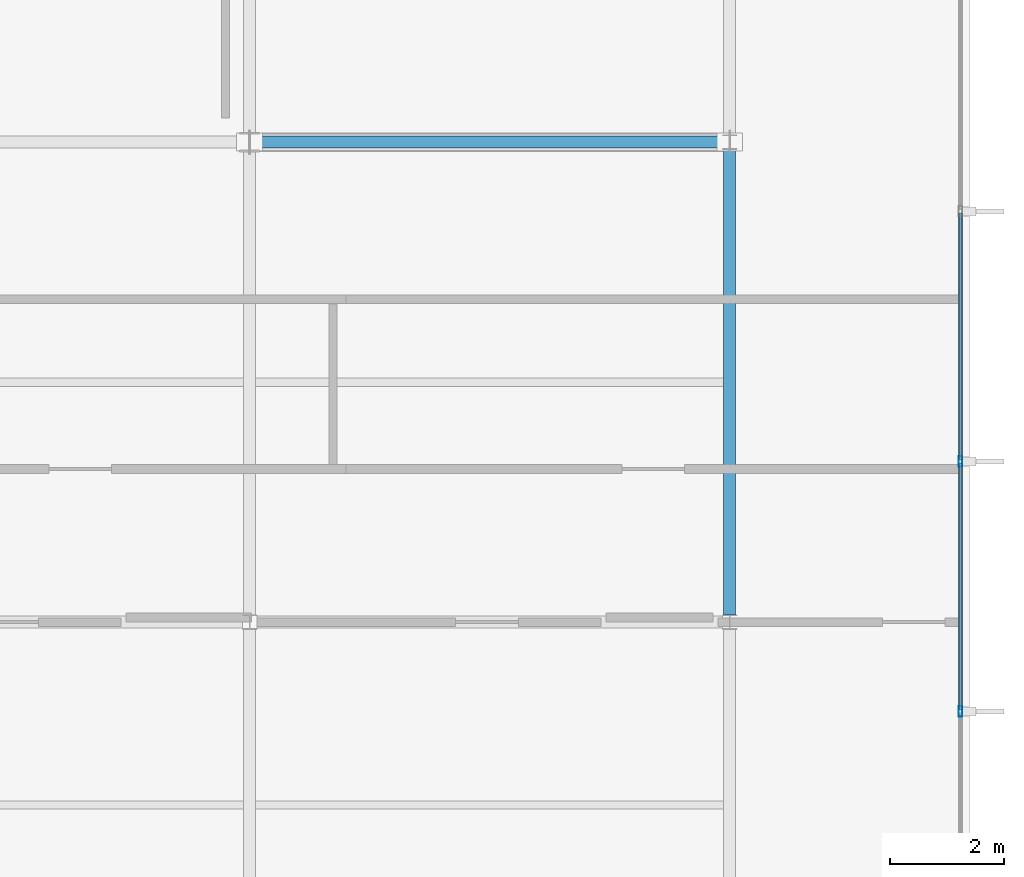
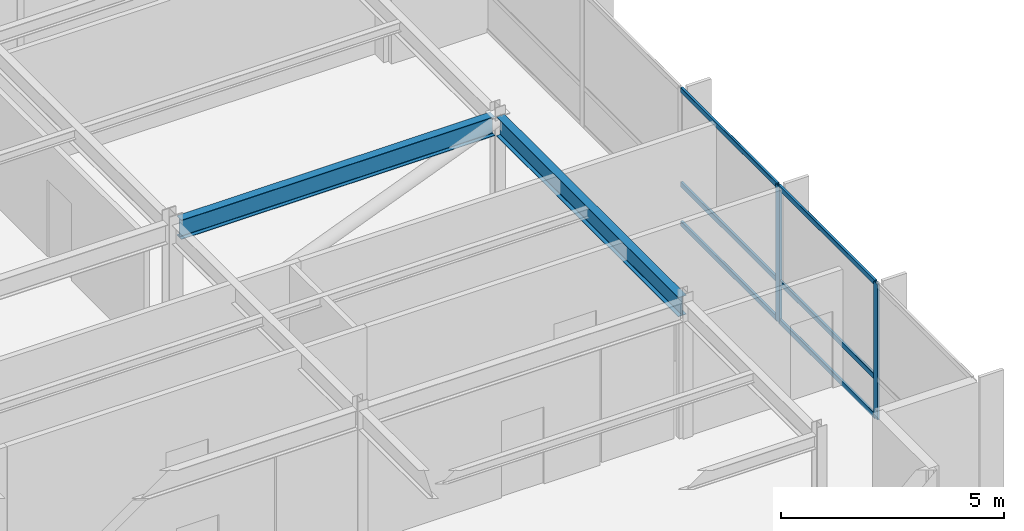
# One storey, part 8 of 19: 8 members, 2 beams, 1 element without a shape of its own.
"""IFC4 building model written with IfcOpenShell, lengths in metres."""

import ifcopenshell
import ifcopenshell.guid

model = None  # the IFC model being written
_history = None  # IfcOwnerHistory: only IFC2X3 demands one
_inside = {}  # id of a spatial element -> (the spatial element, [elements in it])
_under = {}  # id of a project, library or spatial element -> (it, [spatial elements below it])
_declared = {}  # id of a project -> (the project, [libraries it declares])
_typed = {}  # id of a type object -> (the type object, [elements of that type])
_made_of = {}  # id of a material, layer set ... -> (it, [elements and type objects made of it])


def new_model(schema):
    """Start an empty IFC model of exactly this schema.

    Asked for "IFC4X3", IfcOpenShell would pick the latest addendum, in which some entities
    have other attributes; the version numbers below select the first issue.
    IFC2X3 requires an IfcOwnerHistory on every rooted entity: one is made here for all.
    """
    global model, _history
    if schema == "IFC4X3":
        model = ifcopenshell.file(schema_version=(4, 3, 0, 0))
    else:
        model = ifcopenshell.file(schema=schema)
    _inside.clear()
    _under.clear()
    _declared.clear()
    _typed.clear()
    _made_of.clear()
    _history = None
    if model.schema == "IFC2X3":
        org = make("IfcOrganization", Name="unknown")
        user = make(
            "IfcPersonAndOrganization",
            ThePerson=make("IfcPerson", FamilyName="unknown"),
            TheOrganization=org,
        )
        app = make(
            "IfcApplication",
            ApplicationDeveloper=org,
            Version="unknown",
            ApplicationFullName="unknown",
            ApplicationIdentifier="unknown",
        )
        _history = make(
            "IfcOwnerHistory",
            OwningUser=user,
            OwningApplication=app,
            ChangeAction="ADDED",
            CreationDate=0,
        )
    return model


def make(cls, **values):
    """One entity of the class cls with the attributes given. An attribute that is None is left unset."""
    return model.create_entity(
        cls, **{name: value for name, value in values.items() if value is not None}
    )


def rooted(cls, **values):
    """An entity with a GlobalId (a new one), such as an element, a storey or a relation."""
    return make(cls, GlobalId=ifcopenshell.guid.new(), OwnerHistory=_history, **values)


def si_unit(unit_type, name, prefix=None):
    """IfcSIUnit, for example si_unit("LENGTHUNIT", "METRE", prefix="MILLI")."""
    return make("IfcSIUnit", UnitType=unit_type, Prefix=prefix, Name=name)


def assignment(units):
    """IfcUnitAssignment: the units of a project."""
    return None if units is None else make("IfcUnitAssignment", Units=units)


def point(xyz):
    """IfcCartesianPoint."""
    return None if xyz is None else make("IfcCartesianPoint", Coordinates=xyz)


def direction(xyz):
    """IfcDirection."""
    return None if xyz is None else make("IfcDirection", DirectionRatios=xyz)


def frame(location, z_axis=None, x_axis=None):
    """IfcAxis2Placement3D, a coordinate frame: its origin and axes. An axis left out is left unset."""
    return make(
        "IfcAxis2Placement3D",
        Location=point(location),
        Axis=direction(z_axis),
        RefDirection=direction(x_axis),
    )


def frame_2d(location, x_axis=None):
    """IfcAxis2Placement2D, a coordinate frame in the plane: its origin and x axis."""
    return make(
        "IfcAxis2Placement2D", Location=point(location), RefDirection=direction(x_axis)
    )


def origin():
    """The frame at (0, 0, 0) with its axes left unset."""
    return frame((0.0, 0.0, 0.0))


def origin_2d():
    """The frame at (0, 0) in the plane with its x axis left unset."""
    return frame_2d((0.0, 0.0))


def place(relative_to, where):
    """IfcLocalPlacement: puts the frame where relative to a parent placement (None: the world)."""
    return make(
        "IfcLocalPlacement", PlacementRelTo=relative_to, RelativePlacement=where
    )


def context(
    kind, dimensions, precision=None, world=None, true_north=None, identifier=None
):
    """IfcGeometricRepresentationContext, for example the 3D "Model" context."""
    return make(
        "IfcGeometricRepresentationContext",
        ContextIdentifier=identifier,
        ContextType=kind,
        CoordinateSpaceDimension=dimensions,
        Precision=precision,
        WorldCoordinateSystem=world,
        TrueNorth=true_north,
    )


def subcontext(parent, identifier, kind, view, scale=None):
    """IfcGeometricRepresentationSubContext, for example "Body" below "Model"."""
    return make(
        "IfcGeometricRepresentationSubContext",
        ContextIdentifier=identifier,
        ContextType=kind,
        ParentContext=parent,
        TargetScale=scale,
        TargetView=view,
    )


def project(units=None, contexts=None):
    """IfcProject with its units and contexts."""
    return rooted(
        "IfcProject",
        Name="project",
        RepresentationContexts=contexts,
        UnitsInContext=assignment(units),
    )


def spatial(cls, under=None, at=None, **own):
    """A site, building, storey or space (cls), placed at a placement, below another one or the project."""
    s = rooted(cls, ObjectPlacement=at, **own)
    if under is not None:
        _under.setdefault(under.id(), (under, []))[1].append(s)
    return s


def profile(cls, at=None, kind="AREA", **sizes):
    """A parametric profile (cls). Its sizes go by their IFC names, for example OverallWidth=200.0."""
    return make(cls, ProfileType=kind, Position=at, **sizes)


def hollow_rectangle(**sizes):
    """IfcRectangleHollowProfileDef."""
    return profile("IfcRectangleHollowProfileDef", **sizes)


def i_section(**sizes):
    """IfcIShapeProfileDef."""
    return profile("IfcIShapeProfileDef", **sizes)


def extrude(swept, where, along, depth):
    """IfcExtrudedAreaSolid: the profile swept, set in the frame where, extruded along a direction by depth."""
    return make(
        "IfcExtrudedAreaSolid",
        SweptArea=swept,
        Position=where,
        ExtrudedDirection=direction(along),
        Depth=depth,
    )


def shape(context_of_items, identifier, shape_type, items):
    """IfcShapeRepresentation: the items that make up one representation, for example the "Body"."""
    return make(
        "IfcShapeRepresentation",
        ContextOfItems=context_of_items,
        RepresentationIdentifier=identifier,
        RepresentationType=shape_type,
        Items=items,
    )


def material(Name=None, Category=None):
    """IfcMaterial."""
    return make("IfcMaterial", Name=Name, Category=Category)


def layer(
    of_material, thickness, ventilated=None, Name=None, Category=None, Priority=None
):
    """IfcMaterialLayer: one layer of a wall or slab, of a material (None: an air gap)."""
    return make(
        "IfcMaterialLayer",
        Material=of_material,
        LayerThickness=thickness,
        IsVentilated=ventilated,
        Name=Name,
        Category=Category,
        Priority=Priority,
    )


def layer_set(layers, Name=None):
    """IfcMaterialLayerSet."""
    return make("IfcMaterialLayerSet", MaterialLayers=layers, LayerSetName=Name)


def material_profile(
    of_material, cross_section, Name=None, Category=None, Priority=None
):
    """IfcMaterialProfile: a cross section and its material."""
    return make(
        "IfcMaterialProfile",
        Name=Name,
        Material=of_material,
        Profile=cross_section,
        Priority=Priority,
        Category=Category,
    )


def profile_set(profiles, Name=None, composite=None):
    """IfcMaterialProfileSet."""
    return make(
        "IfcMaterialProfileSet",
        Name=Name,
        MaterialProfiles=profiles,
        CompositeProfile=composite,
    )


def made_of(thing, what):
    """Note that an element or type object is made of a material, layer set ...; save() writes the relation."""
    if what is not None:
        _made_of.setdefault(what.id(), (what, []))[1].append(thing)
    return thing


def type_object(cls, material=None, **own):
    """A type object (cls), such as IfcWallType, which elements share."""
    return made_of(rooted(cls, **own), material)


def element(
    cls,
    number,
    at=None,
    inside=None,
    cuts=None,
    type_object=None,
    material=None,
    context=None,
    identifier="Body",
    shape_type=None,
    held_by="IfcProductDefinitionShape",
    body=None,
    shapes=None,
    **own,
):
    """One element of the class cls, such as IfcWall. Its Tag is "e" and its number.

    at: its placement. inside: the storey or other place that contains it. cuts: it is an
    opening in that element (IfcRelVoidsElement). A single representation is given by context,
    identifier, shape_type and body (its items); several are given by shapes. held_by: the class
    of the entity that holds the representations. save() writes the other relations.
    """
    e = rooted(cls, Tag="e%d" % number, ObjectPlacement=at, **own)
    if body is not None:
        shapes = [shape(context, identifier, shape_type, body)]
    if shapes is not None:
        e.Representation = make(held_by, Representations=shapes)
    if inside is not None:
        _inside.setdefault(inside.id(), (inside, []))[1].append(e)
    if cuts is not None:
        rooted(
            "IfcRelVoidsElement", RelatingBuildingElement=cuts, RelatedOpeningElement=e
        )
    if type_object is not None:
        _typed.setdefault(type_object.id(), (type_object, []))[1].append(e)
    return made_of(e, material)


def aggregate(whole, parts):
    """IfcRelAggregates: a whole, such as a stair, and the parts it consists of."""
    return rooted("IfcRelAggregates", RelatingObject=whole, RelatedObjects=parts)


def save(model, path):
    """Write the relations noted so far, then the file.

    IfcRelAggregates (storeys below a building ...), IfcRelContainedInSpatialStructure (elements
    in a storey), IfcRelDefinesByType, IfcRelAssociatesMaterial and IfcRelDeclares: one each for
    every whole, place, type object, material and project.
    """
    for whole, parts in _under.values():
        aggregate(whole, parts)
    for where, things in _inside.values():
        rooted(
            "IfcRelContainedInSpatialStructure",
            RelatedElements=things,
            RelatingStructure=where,
        )
    for kind, things in _typed.values():
        rooted("IfcRelDefinesByType", RelatedObjects=things, RelatingType=kind)
    for what, things in _made_of.values():
        rooted("IfcRelAssociatesMaterial", RelatedObjects=things, RelatingMaterial=what)
    for by, libraries in _declared.values():
        rooted("IfcRelDeclares", RelatingContext=by, RelatedDefinitions=libraries)
    model.write(path)


model = new_model("IFC4")

# Units and contexts
model_context = context("Model", 3, precision=1e-05, world=origin(), true_north=direction((0.0, 1.0)))
body_context = subcontext(model_context, "Body", "Model", "MODEL_VIEW")
ifc_project = project(units=[si_unit("LENGTHUNIT", "METRE"), si_unit("AREAUNIT", "SQUARE_METRE"), si_unit("VOLUMEUNIT", "CUBIC_METRE"), si_unit("PLANEANGLEUNIT", "RADIAN"), si_unit("MASSUNIT", "GRAM", prefix="KILO")], contexts=[model_context])

# Site, building, storey
site_placement = place(None, origin())
site = spatial("IfcSite", under=ifc_project, at=site_placement, CompositionType="ELEMENT")
building_placement = place(site_placement, origin())
building = spatial("IfcBuilding", under=site, at=building_placement, Name="Varnakote Quay Hospital", CompositionType="ELEMENT")
storey_placement = place(building_placement, frame((0.0, 0.0, 240.75)))
storey = spatial("IfcBuildingStorey", under=building, at=storey_placement, Name="L59", CompositionType="ELEMENT", Elevation=240.75)

# Beams
ifc_material_1 = material(Name="Structural steel AS/NZS 3679.1 Grade 350 L0 (fy 340 MPa)", Category="steel")
ifc_material_profile_1 = material_profile(ifc_material_1, i_section(OverallWidth=0.208984375, OverallDepth=0.528076171875, WebThickness=0.009521484375, FlangeThickness=0.01318359375, FilletRadius=0.013916015625, at=origin_2d()), Name="530UB82.0")
ifc_profile_set_1 = profile_set([ifc_material_profile_1], Name="Structural steel AS/NZS 3679.1 Grade 350 L0 (fy 340 MPa)")
beam_type = type_object("IfcBeamType", Name="BM-STL-530UB82-0", PredefinedType="BEAM", material=ifc_profile_set_1)
beam_1_placement = place(storey_placement, frame((33.77490234375, 20.39990234375, 3.446044921875), z_axis=(1.0, 0.0, 0.0), x_axis=(0.0, 1.0, 0.0)))
element("IfcBeam", 1, at=beam_1_placement, inside=storey, type_object=beam_type, Name="L59 Primary Floor Beam", PredefinedType="BEAM", context=body_context, shape_type="SweptSolid", body=[
    extrude(i_section(OverallWidth=0.208984375, OverallDepth=0.528076171875, WebThickness=0.009521484375, FlangeThickness=0.01318359375, FilletRadius=0.013916015625, at=origin_2d()), origin(), (0.0, 0.0, 1.0), 8.09814453125),
])
beam_2_placement = place(storey_placement, frame((42.0, 12.126953125, 3.446044921875), z_axis=(0.0, 1.0, 0.0), x_axis=(-1.0, 0.0, 0.0)))
element("IfcBeam", 2, at=beam_2_placement, inside=storey, type_object=beam_type, Name="L59 Primary Tie Beam", PredefinedType="BEAM", context=body_context, shape_type="SweptSolid", body=[
    extrude(i_section(OverallWidth=0.208984375, OverallDepth=0.528076171875, WebThickness=0.009521484375, FlangeThickness=0.01318359375, FilletRadius=0.013916015625, at=origin_2d()), origin(), (0.0, 0.0, 1.0), 8.14599609375),
])

# Curtain wall, members
ifc_material_2 = material(Name="Anodised aluminium 6063-T6 Bronze", Category="aluminium")
ifc_layer = layer(ifc_material_2, 0.235107421875)
ifc_layer_set = layer_set([ifc_layer], Name="Anodised aluminium 6063-T6 Bronze")
curtain_wall_type = type_object("IfcCurtainWallType", Name="CW-SYS-5", PredefinedType="NOTDEFINED", material=ifc_layer_set)
curtain_wall_placement = place(storey_placement, origin())
curtain_wall = element("IfcCurtainWall", 3, at=curtain_wall_placement, inside=storey, type_object=curtain_wall_type, Name="L59 Unitised Bronze Curtain Wall 1", PredefinedType="NOTDEFINED")
ifc_material_3 = material(Name="Anodised aluminium 6063-T6 Bronze", Category="aluminium")
ifc_material_profile_2 = material_profile(ifc_material_3, hollow_rectangle(XDim=0.06494140625, YDim=0.179931640625, WallThickness=0.00390625, InnerFilletRadius=0.00390625, OuterFilletRadius=0.008056640625, at=origin_2d()), Name="CW-MULL-180x65")
ifc_profile_set_2 = profile_set([ifc_material_profile_2], Name="Anodised aluminium 6063-T6 Bronze")
member_type_1 = type_object("IfcMemberType", Name="CW-MULL-180x65", PredefinedType="MULLION", material=ifc_profile_set_2)
member_1_placement = place(storey_placement, frame((46.0400390625, 10.43603515625, 0.0), z_axis=(0.0, 0.0, 1.0), x_axis=(-1.0, 0.0, 0.0)))
member_1 = element("IfcMember", 4, at=member_1_placement, type_object=member_type_1, Name="-5-L59-1 mullion 2", PredefinedType="MULLION", context=body_context, shape_type="SweptSolid", body=[
    extrude(hollow_rectangle(XDim=0.06494140625, YDim=0.179931640625, WallThickness=0.00390625, InnerFilletRadius=0.00390625, OuterFilletRadius=0.008056640625, at=origin_2d()), origin(), (0.0, 0.0, 1.0), 3.7099609375),
])
member_2_placement = place(storey_placement, frame((46.0400390625, 14.81201171875, 0.0), z_axis=(0.0, 0.0, 1.0), x_axis=(-1.0, 0.0, 0.0)))
member_2 = element("IfcMember", 5, at=member_2_placement, type_object=member_type_1, Name="-5-L59-1 mullion 3", PredefinedType="MULLION", context=body_context, shape_type="SweptSolid", body=[
    extrude(hollow_rectangle(XDim=0.06494140625, YDim=0.179931640625, WallThickness=0.00390625, InnerFilletRadius=0.00390625, OuterFilletRadius=0.008056640625, at=origin_2d()), origin(), (0.0, 0.0, 1.0), 3.7099609375),
])
ifc_material_4 = material(Name="Anodised aluminium 6063-T6 Bronze", Category="aluminium")
ifc_material_profile_3 = material_profile(ifc_material_4, hollow_rectangle(XDim=0.06494140625, YDim=0.139892578125, WallThickness=0.00390625, InnerFilletRadius=0.00390625, OuterFilletRadius=0.007568359375, at=origin_2d()), Name="CW-TRAN-140x65")
ifc_profile_set_3 = profile_set([ifc_material_profile_3], Name="Anodised aluminium 6063-T6 Bronze")
member_type_2 = type_object("IfcMemberType", Name="CW-TRAN-140x65", PredefinedType="USERDEFINED", material=ifc_profile_set_3)
member_3_placement = place(storey_placement, frame((46.0400390625, 10.468505859375, 0.032470703125), z_axis=(0.0, 1.0, 0.0), x_axis=(-1.0, 0.0, 0.0)))
member_3 = element("IfcMember", 6, at=member_3_placement, type_object=member_type_2, Name="-5-L59-1 transom 2.1", ObjectType="TRANSOM", PredefinedType="USERDEFINED", context=body_context, shape_type="SweptSolid", body=[
    extrude(hollow_rectangle(XDim=0.06494140625, YDim=0.139892578125, WallThickness=0.00390625, InnerFilletRadius=0.00390625, OuterFilletRadius=0.007568359375, at=origin_2d()), origin(), (0.0, 0.0, 1.0), 4.31103515625),
])
member_4_placement = place(storey_placement, frame((46.0400390625, 10.468505859375, 1.10009765625), z_axis=(0.0, 1.0, 0.0), x_axis=(-1.0, 0.0, 0.0)))
member_4 = element("IfcMember", 7, at=member_4_placement, type_object=member_type_2, Name="-5-L59-1 transom 2.2", ObjectType="TRANSOM", PredefinedType="USERDEFINED", context=body_context, shape_type="SweptSolid", body=[
    extrude(hollow_rectangle(XDim=0.06494140625, YDim=0.139892578125, WallThickness=0.00390625, InnerFilletRadius=0.00390625, OuterFilletRadius=0.007568359375, at=origin_2d()), origin(), (0.0, 0.0, 1.0), 4.31103515625),
])
member_5_placement = place(storey_placement, frame((46.0400390625, 10.468505859375, 3.677490234375), z_axis=(0.0, 1.0, 0.0), x_axis=(-1.0, 0.0, 0.0)))
member_5 = element("IfcMember", 8, at=member_5_placement, type_object=member_type_2, Name="-5-L59-1 transom 2.3", ObjectType="TRANSOM", PredefinedType="USERDEFINED", context=body_context, shape_type="SweptSolid", body=[
    extrude(hollow_rectangle(XDim=0.06494140625, YDim=0.139892578125, WallThickness=0.00390625, InnerFilletRadius=0.00390625, OuterFilletRadius=0.007568359375, at=origin_2d()), origin(), (0.0, 0.0, 1.0), 4.31103515625),
])
member_6_placement = place(storey_placement, frame((46.0400390625, 14.844482421875, 0.032470703125), z_axis=(0.0, 1.0, 0.0), x_axis=(-1.0, 0.0, 0.0)))
member_6 = element("IfcMember", 9, at=member_6_placement, type_object=member_type_2, Name="-5-L59-1 transom 3.1", ObjectType="TRANSOM", PredefinedType="USERDEFINED", context=body_context, shape_type="SweptSolid", body=[
    extrude(hollow_rectangle(XDim=0.06494140625, YDim=0.139892578125, WallThickness=0.00390625, InnerFilletRadius=0.00390625, OuterFilletRadius=0.007568359375, at=origin_2d()), origin(), (0.0, 0.0, 1.0), 4.31103515625),
])
member_7_placement = place(storey_placement, frame((46.0400390625, 14.844482421875, 1.10009765625), z_axis=(0.0, 1.0, 0.0), x_axis=(-1.0, 0.0, 0.0)))
member_7 = element("IfcMember", 10, at=member_7_placement, type_object=member_type_2, Name="-5-L59-1 transom 3.2", ObjectType="TRANSOM", PredefinedType="USERDEFINED", context=body_context, shape_type="SweptSolid", body=[
    extrude(hollow_rectangle(XDim=0.06494140625, YDim=0.139892578125, WallThickness=0.00390625, InnerFilletRadius=0.00390625, OuterFilletRadius=0.007568359375, at=origin_2d()), origin(), (0.0, 0.0, 1.0), 4.31103515625),
])
member_8_placement = place(storey_placement, frame((46.0400390625, 14.844482421875, 3.677490234375), z_axis=(0.0, 1.0, 0.0), x_axis=(-1.0, 0.0, 0.0)))
member_8 = element("IfcMember", 11, at=member_8_placement, type_object=member_type_2, Name="-5-L59-1 transom 3.3", ObjectType="TRANSOM", PredefinedType="USERDEFINED", context=body_context, shape_type="SweptSolid", body=[
    extrude(hollow_rectangle(XDim=0.06494140625, YDim=0.139892578125, WallThickness=0.00390625, InnerFilletRadius=0.00390625, OuterFilletRadius=0.007568359375, at=origin_2d()), origin(), (0.0, 0.0, 1.0), 4.31103515625),
])
aggregate(curtain_wall, [member_1, member_2, member_3, member_4, member_5, member_6, member_7, member_8])

save(model, "model.ifc")
